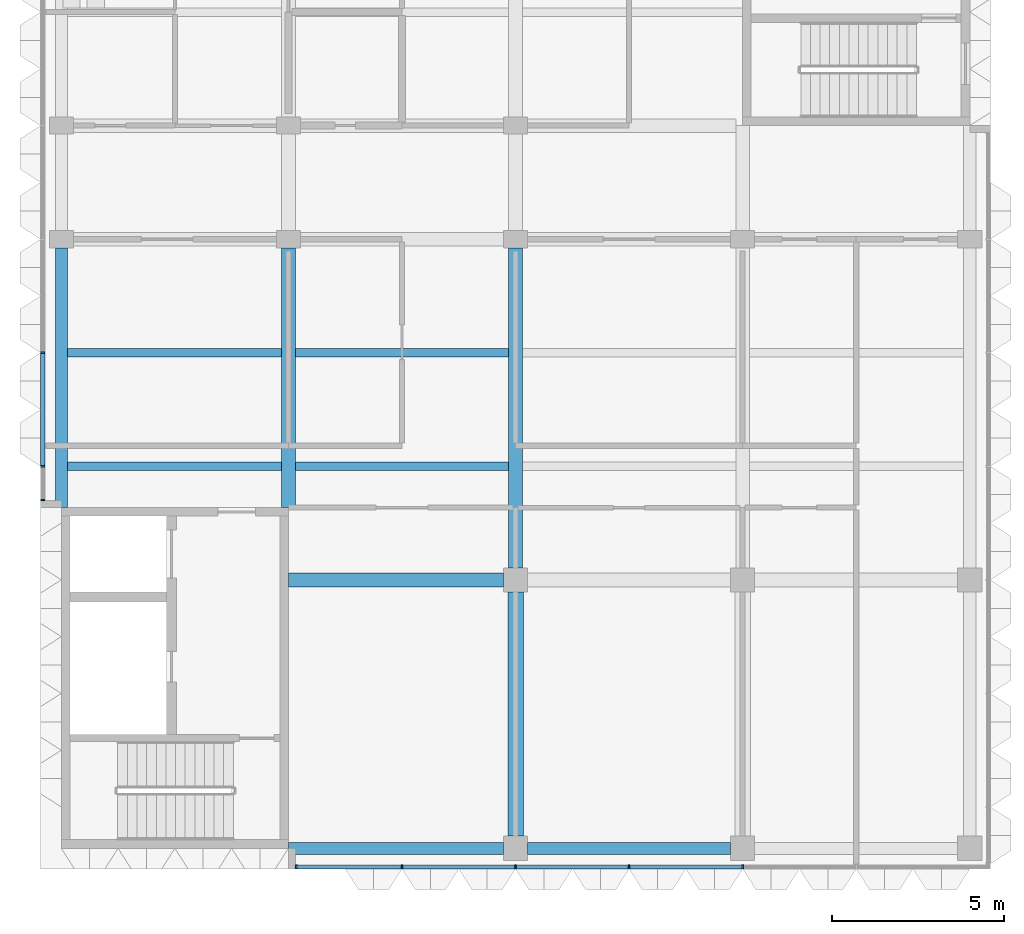
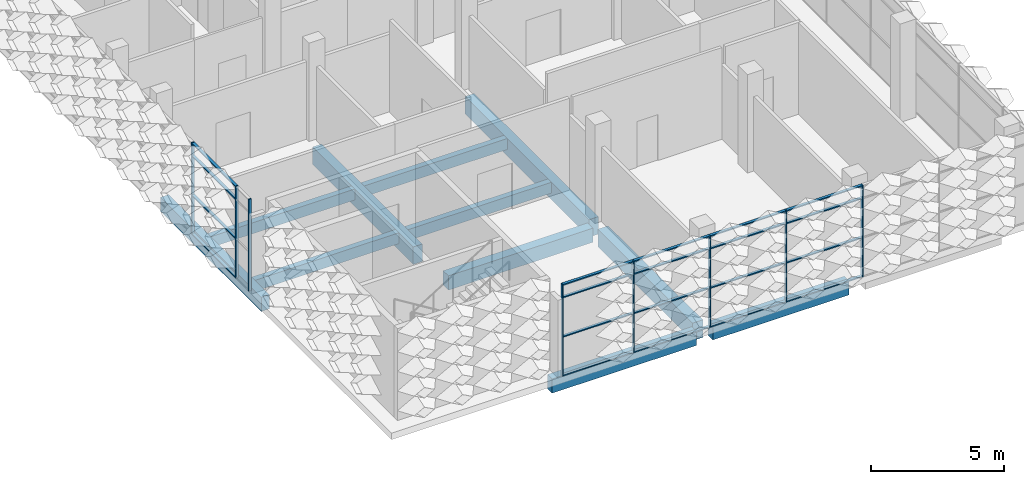
# One storey, part 2 of 28: 28 members, 11 beams, 2 elements without a shape of their own.
"""IFC4 building model written with IfcOpenShell, lengths in metres."""

from ifc_helpers import new_model, si_unit, direction, frame, origin, origin_2d, place, context, subcontext, project, spatial, rectangle, extrude, material, material_profile, profile_set, type_object, element, aggregate, save


model = new_model("IFC4")

# Units and contexts
model_context = context("Model", 3, precision=1e-05, world=origin(), true_north=direction((0.0, 1.0)))
body_context = subcontext(model_context, "Body", "Model", "MODEL_VIEW")
ifc_project = project(units=[si_unit("LENGTHUNIT", "METRE"), si_unit("AREAUNIT", "SQUARE_METRE"), si_unit("VOLUMEUNIT", "CUBIC_METRE"), si_unit("PLANEANGLEUNIT", "RADIAN"), si_unit("MASSUNIT", "GRAM", prefix="KILO")], contexts=[model_context])

# Site, building, storey
site_placement = place(None, origin())
site = spatial("IfcSite", under=ifc_project, at=site_placement, CompositionType="ELEMENT")
building_placement = place(site_placement, origin())
building = spatial("IfcBuilding", under=site, at=building_placement, Name="Lantern Court Research Institute", CompositionType="ELEMENT")
storey_placement = place(building_placement, frame((0.0, 0.0, 36.89990234375)))
storey = spatial("IfcBuildingStorey", under=building, at=storey_placement, Name="L08", CompositionType="ELEMENT", Elevation=36.89990234375)

# Curtain wall, members
ifc_material_1 = material(Name="Aluminium alloy 6063-T6", Category="aluminium")
curtain_wall_type_1 = type_object("IfcCurtainWallType", Name="Curtain wall 20200 x 4200 x 120 aluminium frame", PredefinedType="NOTDEFINED", material=ifc_material_1)
curtain_wall_1_placement = place(storey_placement, origin())
curtain_wall_1 = element("IfcCurtainWall", 1, at=curtain_wall_1_placement, inside=storey, type_object=curtain_wall_type_1, Name="Curtain wall CW087", PredefinedType="NOTDEFINED")
ifc_material_2 = material(Name="Aluminium alloy 6063-T6", Category="aluminium")
ifc_material_profile_1 = material_profile(ifc_material_2, rectangle(XDim=0.1201171875, YDim=0.050048828125, at=origin_2d()), Name="Mullion 120 x 50")
ifc_profile_set_1 = profile_set([ifc_material_profile_1], Name="Aluminium alloy 6063-T6")
member_type_1 = type_object("IfcMemberType", Name="Mullion 120 x 50 aluminium", PredefinedType="MULLION", material=ifc_profile_set_1)
member_1_placement = place(storey_placement, frame((59.625, -8.340087890625, 0.0), z_axis=(0.0, 0.0, 1.0), x_axis=(0.0, -1.0, 0.0)))
member_1 = element("IfcMember", 2, at=member_1_placement, type_object=member_type_1, Name="CW087 mullion 1", PredefinedType="MULLION", context=body_context, shape_type="SweptSolid", body=[
    extrude(rectangle(XDim=0.1201171875, YDim=0.050048828125, at=origin_2d()), origin(), (0.0, 0.0, 1.0), 4.2001953125),
])
member_2_placement = place(storey_placement, frame((62.699951171875, -8.340087890625, 0.0), z_axis=(0.0, 0.0, 1.0), x_axis=(0.0, -1.0, 0.0)))
member_2 = element("IfcMember", 3, at=member_2_placement, type_object=member_type_1, Name="CW087 mullion 2", PredefinedType="MULLION", context=body_context, shape_type="SweptSolid", body=[
    extrude(rectangle(XDim=0.1201171875, YDim=0.050048828125, at=origin_2d()), origin(), (0.0, 0.0, 1.0), 4.2001953125),
])
member_3_placement = place(storey_placement, frame((66.0, -8.340087890625, 0.0), z_axis=(0.0, 0.0, 1.0), x_axis=(0.0, -1.0, 0.0)))
member_3 = element("IfcMember", 4, at=member_3_placement, type_object=member_type_1, Name="CW087 mullion 3", PredefinedType="MULLION", context=body_context, shape_type="SweptSolid", body=[
    extrude(rectangle(XDim=0.1201171875, YDim=0.050048828125, at=origin_2d()), origin(), (0.0, 0.0, 1.0), 4.2001953125),
])
member_4_placement = place(storey_placement, frame((69.300048828125, -8.340087890625, 0.0), z_axis=(0.0, 0.0, 1.0), x_axis=(0.0, -1.0, 0.0)))
member_4 = element("IfcMember", 5, at=member_4_placement, type_object=member_type_1, Name="CW087 mullion 4", PredefinedType="MULLION", context=body_context, shape_type="SweptSolid", body=[
    extrude(rectangle(XDim=0.1201171875, YDim=0.050048828125, at=origin_2d()), origin(), (0.0, 0.0, 1.0), 4.2001953125),
])
member_5_placement = place(storey_placement, frame((72.60009765625, -8.340087890625, 0.0), z_axis=(0.0, 0.0, 1.0), x_axis=(0.0, -1.0, 0.0)))
member_5 = element("IfcMember", 6, at=member_5_placement, type_object=member_type_1, Name="CW087 mullion 5", PredefinedType="MULLION", context=body_context, shape_type="SweptSolid", body=[
    extrude(rectangle(XDim=0.1201171875, YDim=0.050048828125, at=origin_2d()), origin(), (0.0, 0.0, 1.0), 4.2001953125),
])

ifc_material_3 = material(Name="Aluminium alloy 6063-T6", Category="aluminium")
curtain_wall_type_2 = type_object("IfcCurtainWallType", Name="Curtain wall 21250 x 4200 x 120 aluminium frame", PredefinedType="NOTDEFINED", material=ifc_material_3)
curtain_wall_2_placement = place(storey_placement, origin())
curtain_wall_2 = element("IfcCurtainWall", 7, at=curtain_wall_2_placement, inside=storey, type_object=curtain_wall_type_2, Name="Curtain wall CW088", PredefinedType="NOTDEFINED")
member_6_placement = place(storey_placement, frame((52.260009765625, 2.324951171875, 0.0), z_axis=(0.0, 0.0, 1.0), x_axis=(-1.0, 0.0, 0.0)))
member_6 = element("IfcMember", 8, at=member_6_placement, type_object=member_type_1, Name="CW088 mullion 1", PredefinedType="MULLION", context=body_context, shape_type="SweptSolid", body=[
    extrude(rectangle(XDim=0.1201171875, YDim=0.050048828125, at=origin_2d()), origin(), (0.0, 0.0, 1.0), 4.2001953125),
])
member_7_placement = place(storey_placement, frame((52.260009765625, 3.300048828125, 0.0), z_axis=(0.0, 0.0, 1.0), x_axis=(-1.0, 0.0, 0.0)))
member_7 = element("IfcMember", 9, at=member_7_placement, type_object=member_type_1, Name="CW088 mullion 2", PredefinedType="MULLION", context=body_context, shape_type="SweptSolid", body=[
    extrude(rectangle(XDim=0.1201171875, YDim=0.050048828125, at=origin_2d()), origin(), (0.0, 0.0, 1.0), 4.2001953125),
])
member_8_placement = place(storey_placement, frame((52.260009765625, 6.60009765625, 0.0), z_axis=(0.0, 0.0, 1.0), x_axis=(-1.0, 0.0, 0.0)))
member_8 = element("IfcMember", 10, at=member_8_placement, type_object=member_type_1, Name="CW088 mullion 3", PredefinedType="MULLION", context=body_context, shape_type="SweptSolid", body=[
    extrude(rectangle(XDim=0.1201171875, YDim=0.050048828125, at=origin_2d()), origin(), (0.0, 0.0, 1.0), 4.2001953125),
])

# Beams
ifc_material_4 = material(Name="Concrete C40/50", Category="concrete")
ifc_material_profile_2 = material_profile(ifc_material_4, rectangle(XDim=0.39990234375, YDim=0.64990234375, at=origin_2d()), Name="RC beam 400 x 650")
ifc_profile_set_2 = profile_set([ifc_material_profile_2], Name="Concrete C40/50")
beam_type_1 = type_object("IfcBeamType", Name="RC beam 400 x 650", PredefinedType="BEAM", material=ifc_profile_set_2)
beam_1_placement = place(storey_placement, frame((59.39990234375, 0.0, -0.625), z_axis=(1.0, 0.0, 0.0), x_axis=(0.0, 1.0, 0.0)))
element("IfcBeam", 11, at=beam_1_placement, inside=storey, type_object=beam_type_1, Name="Beam L08 grid A/10-11", PredefinedType="BEAM", context=body_context, shape_type="SweptSolid", body=[
    extrude(rectangle(XDim=0.39990234375, YDim=0.64990234375, at=origin_2d()), origin(), (0.0, 0.0, 1.0), 6.25),
])
ifc_material_5 = material(Name="Concrete C40/50", Category="concrete")
ifc_material_profile_3 = material_profile(ifc_material_5, rectangle(XDim=0.35009765625, YDim=0.64990234375, at=origin_2d()), Name="RC beam 350 x 650")
ifc_profile_set_3 = profile_set([ifc_material_profile_3], Name="Concrete C40/50")
beam_type_2 = type_object("IfcBeamType", Name="RC edge beam 350 x 650", PredefinedType="BEAM", material=ifc_profile_set_3)
beam_2_placement = place(storey_placement, frame((52.800048828125, 2.10009765625, -0.625), z_axis=(0.0, 1.0, 0.0), x_axis=(-1.0, 0.0, 0.0)))
element("IfcBeam", 12, at=beam_2_placement, inside=storey, type_object=beam_type_2, Name="Edge beam L08 grid 9/A-B", PredefinedType="BEAM", context=body_context, shape_type="SweptSolid", body=[
    extrude(rectangle(XDim=0.35009765625, YDim=0.64990234375, at=origin_2d()), origin(), (0.0, 0.0, 1.0), 7.5498046875),
])
beam_3_placement = place(storey_placement, frame((59.39990234375, -7.800048828125, -0.625), z_axis=(1.0, 0.0, 0.0), x_axis=(0.0, 1.0, 0.0)))
element("IfcBeam", 13, at=beam_3_placement, inside=storey, type_object=beam_type_2, Name="Edge beam L08 grid Z/10-11", PredefinedType="BEAM", context=body_context, shape_type="SweptSolid", body=[
    extrude(rectangle(XDim=0.35009765625, YDim=0.64990234375, at=origin_2d()), origin(), (0.0, 0.0, 1.0), 6.25),
])
beam_4_placement = place(storey_placement, frame((66.35009765625, -7.800048828125, -0.625), z_axis=(1.0, 0.0, 0.0), x_axis=(0.0, 1.0, 0.0)))
element("IfcBeam", 14, at=beam_4_placement, inside=storey, type_object=beam_type_2, Name="Edge beam L08 grid Z/11-12", PredefinedType="BEAM", context=body_context, shape_type="SweptSolid", body=[
    extrude(rectangle(XDim=0.35009765625, YDim=0.64990234375, at=origin_2d()), origin(), (0.0, 0.0, 1.0), 5.89990234375),
])
ifc_material_6 = material(Name="Concrete C40/50", Category="concrete")
ifc_material_profile_4 = material_profile(ifc_material_6, rectangle(XDim=0.39990234375, YDim=0.800048828125, at=origin_2d()), Name="RC beam 400 x 800")
ifc_profile_set_4 = profile_set([ifc_material_profile_4], Name="Concrete C40/50")
beam_type_3 = type_object("IfcBeamType", Name="RC girder 400 x 800", PredefinedType="BEAM", material=ifc_profile_set_4)
beam_5_placement = place(storey_placement, frame((59.39990234375, 2.10009765625, -0.699951171875), z_axis=(0.0, 1.0, 0.0), x_axis=(-1.0, 0.0, 0.0)))
element("IfcBeam", 15, at=beam_5_placement, inside=storey, type_object=beam_type_3, Name="Girder L08 grid 10/A-B", PredefinedType="BEAM", context=body_context, shape_type="SweptSolid", body=[
    extrude(rectangle(XDim=0.39990234375, YDim=0.800048828125, at=origin_2d()), origin(), (0.0, 0.0, 1.0), 7.5498046875),
])
beam_6_placement = place(storey_placement, frame((66.0, 0.35009765625, -0.699951171875), z_axis=(0.0, 1.0, 0.0), x_axis=(-1.0, 0.0, 0.0)))
element("IfcBeam", 16, at=beam_6_placement, inside=storey, type_object=beam_type_3, Name="Girder L08 grid 11/A-B", PredefinedType="BEAM", context=body_context, shape_type="SweptSolid", body=[
    extrude(rectangle(XDim=0.39990234375, YDim=0.800048828125, at=origin_2d()), origin(), (0.0, 0.0, 1.0), 9.2998046875),
])
ifc_material_7 = material(Name="Concrete C40/50", Category="concrete")
ifc_material_profile_5 = material_profile(ifc_material_7, rectangle(XDim=0.449951171875, YDim=0.800048828125, at=origin_2d()), Name="RC beam 450 x 800")
ifc_profile_set_5 = profile_set([ifc_material_profile_5], Name="Concrete C40/50")
beam_type_4 = type_object("IfcBeamType", Name="RC girder 450 x 800", PredefinedType="BEAM", material=ifc_profile_set_5)
beam_7_placement = place(storey_placement, frame((66.0, -7.449951171875, -0.699951171875), z_axis=(0.0, 1.0, 0.0), x_axis=(-1.0, 0.0, 0.0)))
element("IfcBeam", 17, at=beam_7_placement, inside=storey, type_object=beam_type_4, Name="Girder L08 grid 11/Z-A", PredefinedType="BEAM", context=body_context, shape_type="SweptSolid", body=[
    extrude(rectangle(XDim=0.449951171875, YDim=0.800048828125, at=origin_2d()), origin(), (0.0, 0.0, 1.0), 7.099853515625),
])
ifc_material_8 = material(Name="Concrete C40/50", Category="concrete")
ifc_material_profile_6 = material_profile(ifc_material_8, rectangle(XDim=0.25, YDim=0.5, at=origin_2d()), Name="RC beam 250 x 500")
ifc_profile_set_6 = profile_set([ifc_material_profile_6], Name="Concrete C40/50")
beam_type_5 = type_object("IfcBeamType", Name="RC secondary beam 250 x 500", PredefinedType="BEAM", material=ifc_profile_set_6)
beam_8_placement = place(storey_placement, frame((52.97509765625, 3.300048828125, -0.5498046875), z_axis=(1.0, 0.0, 0.0), x_axis=(0.0, 1.0, 0.0)))
element("IfcBeam", 18, at=beam_8_placement, inside=storey, type_object=beam_type_5, Name="Secondary beam L08 grids 9-10 / A-B, line 1", PredefinedType="BEAM", context=body_context, shape_type="SweptSolid", body=[
    extrude(rectangle(XDim=0.25, YDim=0.5, at=origin_2d()), origin(), (0.0, 0.0, 1.0), 6.224853515625),
])
beam_9_placement = place(storey_placement, frame((59.60009765625, 3.300048828125, -0.5498046875), z_axis=(1.0, 0.0, 0.0), x_axis=(0.0, 1.0, 0.0)))
element("IfcBeam", 19, at=beam_9_placement, inside=storey, type_object=beam_type_5, Name="Secondary beam L08 grids 10-11 / A-B, line 1", PredefinedType="BEAM", context=body_context, shape_type="SweptSolid", body=[
    extrude(rectangle(XDim=0.25, YDim=0.5, at=origin_2d()), origin(), (0.0, 0.0, 1.0), 6.199951171875),
])
beam_10_placement = place(storey_placement, frame((52.97509765625, 6.60009765625, -0.5498046875), z_axis=(1.0, 0.0, 0.0), x_axis=(0.0, 1.0, 0.0)))
element("IfcBeam", 20, at=beam_10_placement, inside=storey, type_object=beam_type_5, Name="Secondary beam L08 grids 9-10 / A-B, line 2", PredefinedType="BEAM", context=body_context, shape_type="SweptSolid", body=[
    extrude(rectangle(XDim=0.25, YDim=0.5, at=origin_2d()), origin(), (0.0, 0.0, 1.0), 6.224853515625),
])
beam_11_placement = place(storey_placement, frame((59.60009765625, 6.60009765625, -0.5498046875), z_axis=(1.0, 0.0, 0.0), x_axis=(0.0, 1.0, 0.0)))
element("IfcBeam", 21, at=beam_11_placement, inside=storey, type_object=beam_type_5, Name="Secondary beam L08 grids 10-11 / A-B, line 2", PredefinedType="BEAM", context=body_context, shape_type="SweptSolid", body=[
    extrude(rectangle(XDim=0.25, YDim=0.5, at=origin_2d()), origin(), (0.0, 0.0, 1.0), 6.199951171875),
])

# Member
ifc_material_9 = material(Name="Aluminium alloy 6063-T6", Category="aluminium")
ifc_material_profile_7 = material_profile(ifc_material_9, rectangle(XDim=0.1201171875, YDim=0.050048828125, at=origin_2d()), Name="Transom 120 x 50")
ifc_profile_set_7 = profile_set([ifc_material_profile_7], Name="Aluminium alloy 6063-T6")
member_type_2 = type_object("IfcMemberType", Name="Transom 120 x 50 aluminium", PredefinedType="USERDEFINED", material=ifc_profile_set_7)
member_9_placement = place(storey_placement, frame((62.675048828125, -8.340087890625, 0.025146484375), z_axis=(-1.0, 0.0, 0.0), x_axis=(0.0, -1.0, 0.0)))
member_9 = element("IfcMember", 22, at=member_9_placement, type_object=member_type_2, Name="CW087 transom 1.1", ObjectType="TRANSOM", PredefinedType="USERDEFINED", context=body_context, shape_type="SweptSolid", body=[
    extrude(rectangle(XDim=0.1201171875, YDim=0.050048828125, at=origin_2d()), origin(), (0.0, 0.0, 1.0), 3.025146484375),
])

member_10_placement = place(storey_placement, frame((62.675048828125, -8.340087890625, 1.800048828125), z_axis=(-1.0, 0.0, 0.0), x_axis=(0.0, -1.0, 0.0)))
member_10 = element("IfcMember", 23, at=member_10_placement, type_object=member_type_2, Name="CW087 transom 1.2", ObjectType="TRANSOM", PredefinedType="USERDEFINED", context=body_context, shape_type="SweptSolid", body=[
    extrude(rectangle(XDim=0.1201171875, YDim=0.050048828125, at=origin_2d()), origin(), (0.0, 0.0, 1.0), 3.025146484375),
])

member_11_placement = place(storey_placement, frame((62.675048828125, -8.340087890625, 3.60009765625), z_axis=(-1.0, 0.0, 0.0), x_axis=(0.0, -1.0, 0.0)))
member_11 = element("IfcMember", 24, at=member_11_placement, type_object=member_type_2, Name="CW087 transom 1.3", ObjectType="TRANSOM", PredefinedType="USERDEFINED", context=body_context, shape_type="SweptSolid", body=[
    extrude(rectangle(XDim=0.1201171875, YDim=0.050048828125, at=origin_2d()), origin(), (0.0, 0.0, 1.0), 3.025146484375),
])

member_12_placement = place(storey_placement, frame((62.675048828125, -8.340087890625, 4.175048828125), z_axis=(-1.0, 0.0, 0.0), x_axis=(0.0, -1.0, 0.0)))
member_12 = element("IfcMember", 25, at=member_12_placement, type_object=member_type_2, Name="CW087 transom 1.4", ObjectType="TRANSOM", PredefinedType="USERDEFINED", context=body_context, shape_type="SweptSolid", body=[
    extrude(rectangle(XDim=0.1201171875, YDim=0.050048828125, at=origin_2d()), origin(), (0.0, 0.0, 1.0), 3.025146484375),
])

member_13_placement = place(storey_placement, frame((65.97509765625, -8.340087890625, 0.025146484375), z_axis=(-1.0, 0.0, 0.0), x_axis=(0.0, -1.0, 0.0)))
member_13 = element("IfcMember", 26, at=member_13_placement, type_object=member_type_2, Name="CW087 transom 2.1", ObjectType="TRANSOM", PredefinedType="USERDEFINED", context=body_context, shape_type="SweptSolid", body=[
    extrude(rectangle(XDim=0.1201171875, YDim=0.050048828125, at=origin_2d()), origin(), (0.0, 0.0, 1.0), 3.25),
])

member_14_placement = place(storey_placement, frame((65.97509765625, -8.340087890625, 1.800048828125), z_axis=(-1.0, 0.0, 0.0), x_axis=(0.0, -1.0, 0.0)))
member_14 = element("IfcMember", 27, at=member_14_placement, type_object=member_type_2, Name="CW087 transom 2.2", ObjectType="TRANSOM", PredefinedType="USERDEFINED", context=body_context, shape_type="SweptSolid", body=[
    extrude(rectangle(XDim=0.1201171875, YDim=0.050048828125, at=origin_2d()), origin(), (0.0, 0.0, 1.0), 3.25),
])

member_15_placement = place(storey_placement, frame((65.97509765625, -8.340087890625, 3.60009765625), z_axis=(-1.0, 0.0, 0.0), x_axis=(0.0, -1.0, 0.0)))
member_15 = element("IfcMember", 28, at=member_15_placement, type_object=member_type_2, Name="CW087 transom 2.3", ObjectType="TRANSOM", PredefinedType="USERDEFINED", context=body_context, shape_type="SweptSolid", body=[
    extrude(rectangle(XDim=0.1201171875, YDim=0.050048828125, at=origin_2d()), origin(), (0.0, 0.0, 1.0), 3.25),
])

member_16_placement = place(storey_placement, frame((65.97509765625, -8.340087890625, 4.175048828125), z_axis=(-1.0, 0.0, 0.0), x_axis=(0.0, -1.0, 0.0)))
member_16 = element("IfcMember", 29, at=member_16_placement, type_object=member_type_2, Name="CW087 transom 2.4", ObjectType="TRANSOM", PredefinedType="USERDEFINED", context=body_context, shape_type="SweptSolid", body=[
    extrude(rectangle(XDim=0.1201171875, YDim=0.050048828125, at=origin_2d()), origin(), (0.0, 0.0, 1.0), 3.25),
])

member_17_placement = place(storey_placement, frame((69.27490234375, -8.340087890625, 0.025146484375), z_axis=(-1.0, 0.0, 0.0), x_axis=(0.0, -1.0, 0.0)))
member_17 = element("IfcMember", 30, at=member_17_placement, type_object=member_type_2, Name="CW087 transom 3.1", ObjectType="TRANSOM", PredefinedType="USERDEFINED", context=body_context, shape_type="SweptSolid", body=[
    extrude(rectangle(XDim=0.1201171875, YDim=0.050048828125, at=origin_2d()), origin(), (0.0, 0.0, 1.0), 3.25),
])

member_18_placement = place(storey_placement, frame((69.27490234375, -8.340087890625, 1.800048828125), z_axis=(-1.0, 0.0, 0.0), x_axis=(0.0, -1.0, 0.0)))
member_18 = element("IfcMember", 31, at=member_18_placement, type_object=member_type_2, Name="CW087 transom 3.2", ObjectType="TRANSOM", PredefinedType="USERDEFINED", context=body_context, shape_type="SweptSolid", body=[
    extrude(rectangle(XDim=0.1201171875, YDim=0.050048828125, at=origin_2d()), origin(), (0.0, 0.0, 1.0), 3.25),
])

member_19_placement = place(storey_placement, frame((69.27490234375, -8.340087890625, 3.60009765625), z_axis=(-1.0, 0.0, 0.0), x_axis=(0.0, -1.0, 0.0)))
member_19 = element("IfcMember", 32, at=member_19_placement, type_object=member_type_2, Name="CW087 transom 3.3", ObjectType="TRANSOM", PredefinedType="USERDEFINED", context=body_context, shape_type="SweptSolid", body=[
    extrude(rectangle(XDim=0.1201171875, YDim=0.050048828125, at=origin_2d()), origin(), (0.0, 0.0, 1.0), 3.25),
])

member_20_placement = place(storey_placement, frame((69.27490234375, -8.340087890625, 4.175048828125), z_axis=(-1.0, 0.0, 0.0), x_axis=(0.0, -1.0, 0.0)))
member_20 = element("IfcMember", 33, at=member_20_placement, type_object=member_type_2, Name="CW087 transom 3.4", ObjectType="TRANSOM", PredefinedType="USERDEFINED", context=body_context, shape_type="SweptSolid", body=[
    extrude(rectangle(XDim=0.1201171875, YDim=0.050048828125, at=origin_2d()), origin(), (0.0, 0.0, 1.0), 3.25),
])

member_21_placement = place(storey_placement, frame((72.574951171875, -8.340087890625, 0.025146484375), z_axis=(-1.0, 0.0, 0.0), x_axis=(0.0, -1.0, 0.0)))
member_21 = element("IfcMember", 34, at=member_21_placement, type_object=member_type_2, Name="CW087 transom 4.1", ObjectType="TRANSOM", PredefinedType="USERDEFINED", context=body_context, shape_type="SweptSolid", body=[
    extrude(rectangle(XDim=0.1201171875, YDim=0.050048828125, at=origin_2d()), origin(), (0.0, 0.0, 1.0), 3.25),
])

member_22_placement = place(storey_placement, frame((72.574951171875, -8.340087890625, 1.800048828125), z_axis=(-1.0, 0.0, 0.0), x_axis=(0.0, -1.0, 0.0)))
member_22 = element("IfcMember", 35, at=member_22_placement, type_object=member_type_2, Name="CW087 transom 4.2", ObjectType="TRANSOM", PredefinedType="USERDEFINED", context=body_context, shape_type="SweptSolid", body=[
    extrude(rectangle(XDim=0.1201171875, YDim=0.050048828125, at=origin_2d()), origin(), (0.0, 0.0, 1.0), 3.25),
])

member_23_placement = place(storey_placement, frame((72.574951171875, -8.340087890625, 3.60009765625), z_axis=(-1.0, 0.0, 0.0), x_axis=(0.0, -1.0, 0.0)))
member_23 = element("IfcMember", 36, at=member_23_placement, type_object=member_type_2, Name="CW087 transom 4.3", ObjectType="TRANSOM", PredefinedType="USERDEFINED", context=body_context, shape_type="SweptSolid", body=[
    extrude(rectangle(XDim=0.1201171875, YDim=0.050048828125, at=origin_2d()), origin(), (0.0, 0.0, 1.0), 3.25),
])

member_24_placement = place(storey_placement, frame((72.574951171875, -8.340087890625, 4.175048828125), z_axis=(-1.0, 0.0, 0.0), x_axis=(0.0, -1.0, 0.0)))
member_24 = element("IfcMember", 37, at=member_24_placement, type_object=member_type_2, Name="CW087 transom 4.4", ObjectType="TRANSOM", PredefinedType="USERDEFINED", context=body_context, shape_type="SweptSolid", body=[
    extrude(rectangle(XDim=0.1201171875, YDim=0.050048828125, at=origin_2d()), origin(), (0.0, 0.0, 1.0), 3.25),
])

aggregate(curtain_wall_1, [member_1, member_2, member_3, member_4, member_5, member_9, member_10, member_11, member_12, member_13, member_14, member_15, member_16, member_17, member_18, member_19, member_20, member_21, member_22, member_23, member_24])

member_25_placement = place(storey_placement, frame((52.260009765625, 3.324951171875, 0.025146484375), z_axis=(0.0, 1.0, 0.0), x_axis=(-1.0, 0.0, 0.0)))
member_25 = element("IfcMember", 38, at=member_25_placement, type_object=member_type_2, Name="CW088 transom 2.1", ObjectType="TRANSOM", PredefinedType="USERDEFINED", context=body_context, shape_type="SweptSolid", body=[
    extrude(rectangle(XDim=0.1201171875, YDim=0.050048828125, at=origin_2d()), origin(), (0.0, 0.0, 1.0), 3.25),
])

member_26_placement = place(storey_placement, frame((52.260009765625, 3.324951171875, 1.800048828125), z_axis=(0.0, 1.0, 0.0), x_axis=(-1.0, 0.0, 0.0)))
member_26 = element("IfcMember", 39, at=member_26_placement, type_object=member_type_2, Name="CW088 transom 2.2", ObjectType="TRANSOM", PredefinedType="USERDEFINED", context=body_context, shape_type="SweptSolid", body=[
    extrude(rectangle(XDim=0.1201171875, YDim=0.050048828125, at=origin_2d()), origin(), (0.0, 0.0, 1.0), 3.25),
])

member_27_placement = place(storey_placement, frame((52.260009765625, 3.324951171875, 3.60009765625), z_axis=(0.0, 1.0, 0.0), x_axis=(-1.0, 0.0, 0.0)))
member_27 = element("IfcMember", 40, at=member_27_placement, type_object=member_type_2, Name="CW088 transom 2.3", ObjectType="TRANSOM", PredefinedType="USERDEFINED", context=body_context, shape_type="SweptSolid", body=[
    extrude(rectangle(XDim=0.1201171875, YDim=0.050048828125, at=origin_2d()), origin(), (0.0, 0.0, 1.0), 3.25),
])

member_28_placement = place(storey_placement, frame((52.260009765625, 3.324951171875, 4.175048828125), z_axis=(0.0, 1.0, 0.0), x_axis=(-1.0, 0.0, 0.0)))
member_28 = element("IfcMember", 41, at=member_28_placement, type_object=member_type_2, Name="CW088 transom 2.4", ObjectType="TRANSOM", PredefinedType="USERDEFINED", context=body_context, shape_type="SweptSolid", body=[
    extrude(rectangle(XDim=0.1201171875, YDim=0.050048828125, at=origin_2d()), origin(), (0.0, 0.0, 1.0), 3.25),
])

aggregate(curtain_wall_2, [member_6, member_7, member_8, member_25, member_26, member_27, member_28])

save(model, "model.ifc")
